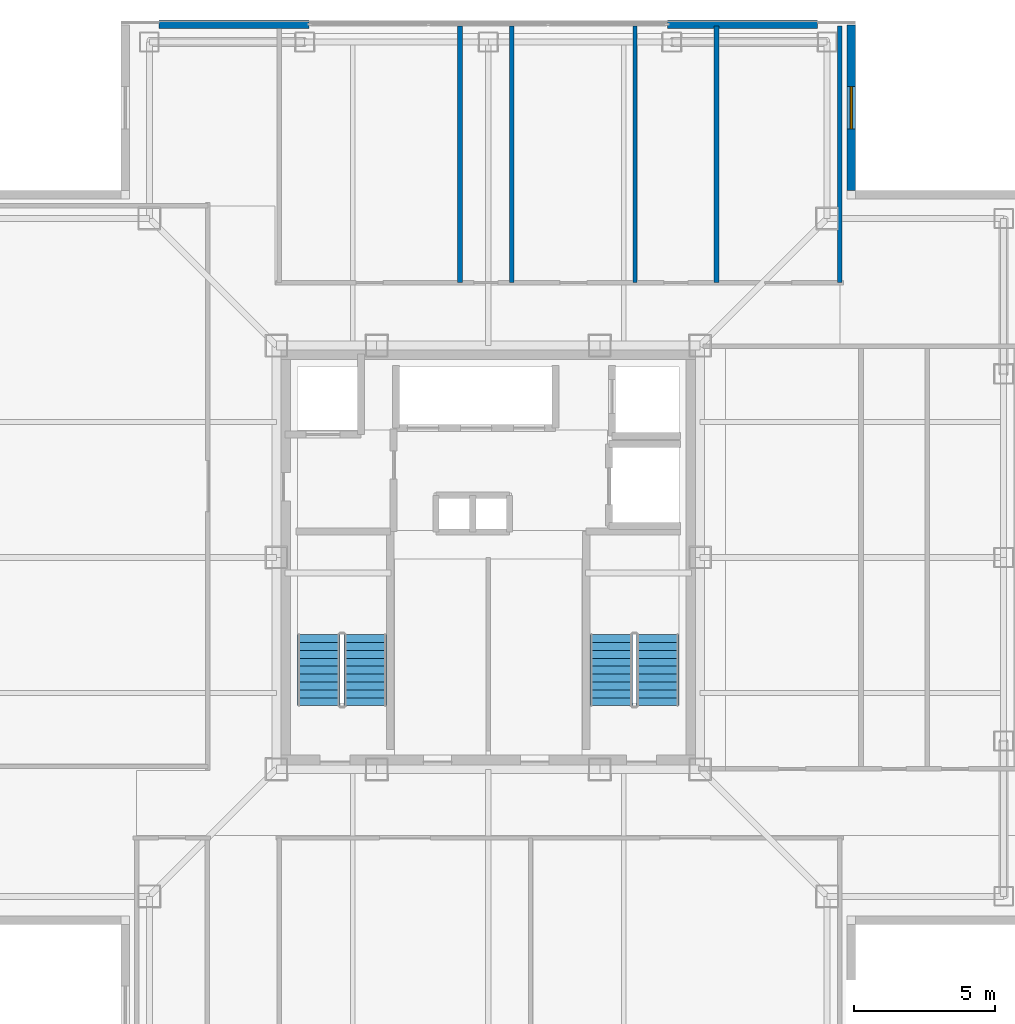
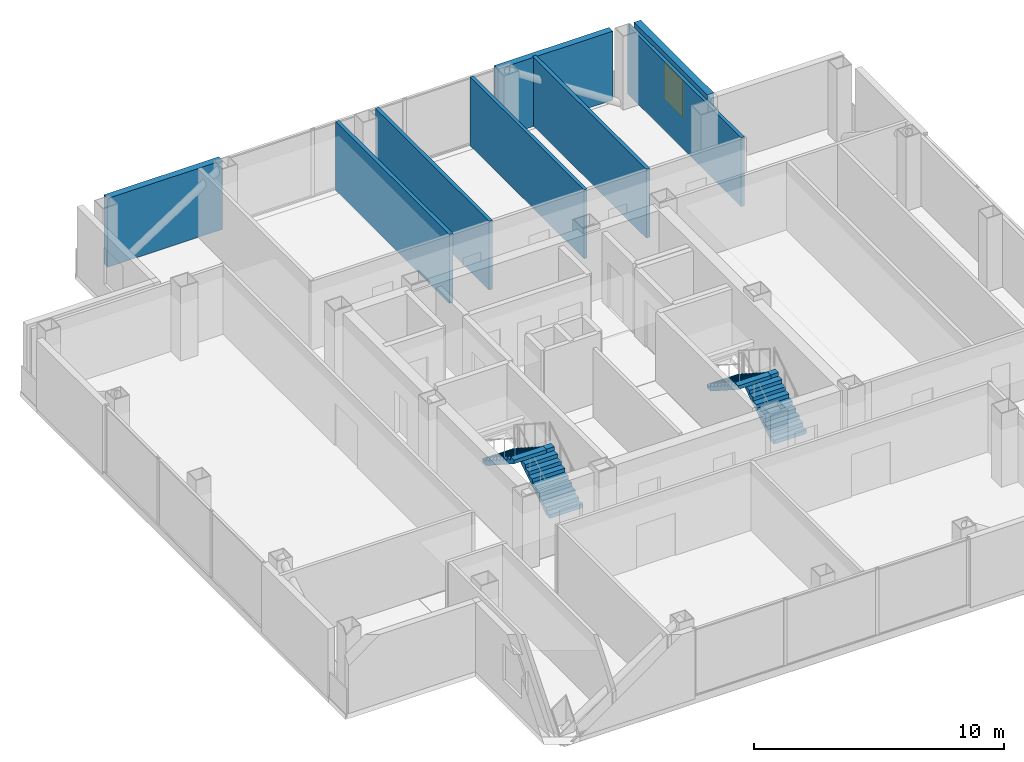
# One storey, part 10 of 16: 8 walls, 4 stair flights, 1 window, 1 opening, 2 elements without a shape of their own.
"""IFC4 building model written with IfcOpenShell, lengths in metres."""

from ifc_helpers import new_model, si_unit, direction, frame, frame_2d, origin, place, context, subcontext, project, spatial, polyline, rectangle, outline, extrude, material, layer, layer_set, type_object, element, fill, aggregate, save


model = new_model("IFC4")

# Units and contexts
model_context = context("Model", 3, precision=1e-05, world=origin(), true_north=direction((0.0, 1.0)))
body_context = subcontext(model_context, "Body", "Model", "MODEL_VIEW")
ifc_project = project(units=[si_unit("LENGTHUNIT", "METRE"), si_unit("AREAUNIT", "SQUARE_METRE"), si_unit("VOLUMEUNIT", "CUBIC_METRE"), si_unit("PLANEANGLEUNIT", "RADIAN"), si_unit("MASSUNIT", "GRAM", prefix="KILO")], contexts=[model_context])

# Site, building, storey
site_placement = place(None, origin())
site = spatial("IfcSite", under=ifc_project, at=site_placement, CompositionType="ELEMENT")
building_placement = place(site_placement, origin())
building = spatial("IfcBuilding", under=site, at=building_placement, Name="Trevonay Congress Spire", CompositionType="ELEMENT")
storey_placement = place(building_placement, frame((0.0, 0.0, 268.39990234375)))
storey = spatial("IfcBuildingStorey", under=building, at=storey_placement, Name="L70", CompositionType="ELEMENT", Elevation=268.39990234375)

# Walls
ifc_material_1 = material(Name="Precast concrete C40/50", Category="concrete")
ifc_layer_1 = layer(ifc_material_1, 0.300048828125, Name="Precast concrete C40/50")
ifc_layer_set_1 = layer_set([ifc_layer_1], Name="Precast concrete C40/50")
wall_type_1 = type_object("IfcWallType", Name="WAL-EXT-PRECAST-300", PredefinedType="SOLIDWALL", material=ifc_layer_set_1)
for number, where, z_axis, x_axis, name in (
    (1, (-11.64990234375, 18.8798828125, 0.0), (0.0, 0.0, 1.0), (1.0, 0.0, 0.0), "L70 NL braced-bay exterior pier wall"),
    (2, (6.35009765625, 18.8798828125, 0.0), (0.0, 0.0, 1.0), (1.0, 0.0, 0.0), "L70 NR braced-bay exterior pier wall"),
):
    element("IfcWall", number, at=place(storey_placement, frame(where, z_axis=z_axis, x_axis=x_axis)), inside=storey, type_object=wall_type_1, Name=name, PredefinedType="SOLIDWALL", context=body_context, shape_type="SweptSolid", body=[
        extrude(rectangle(XDim=5.2998046875, YDim=0.300048828125, at=frame_2d((2.64990234375, 0.0))), origin(), (0.0, 0.0, 1.0), 3.360107421875),
    ])

# Wall, opening, window
wall_placement = place(storey_placement, frame((12.85009765625, 18.85009765625, 0.0), z_axis=(0.0, 0.0, 1.0), x_axis=(0.0, -1.0, 0.0)))
wall = element("IfcWall", 3, at=wall_placement, inside=storey, type_object=wall_type_1, Name="L70 NE re-entrant notch exterior wall 1", PredefinedType="SOLIDWALL", context=body_context, shape_type="SweptSolid", body=[
    extrude(rectangle(XDim=5.85009765625, YDim=0.300048828125, at=frame_2d((2.925048828125, 0.0))), origin(), (0.0, 0.0, 1.0), 3.360107421875),
])
opening_placement = place(wall_placement, frame((2.175048828125, 0.0, 0.89990234375)))
opening = element("IfcOpeningElement", 4, at=opening_placement, cuts=wall, Name="Opening WN03", PredefinedType="OPENING", context=body_context, shape_type="SweptSolid", body=[
    extrude(rectangle(XDim=1.5, YDim=1.800048828125, at=frame_2d((0.75, 0.89990234375))), frame((0.0, 0.16015625, 0.0), z_axis=(0.0, -1.0, 0.0), x_axis=(1.0, 0.0, 0.0)), (0.0, 0.0, 1.0), 0.320068359375),
])
ifc_material_2 = material(Name="Insulated Low-E Vision Glass IGU", Category="glass")
window_type = type_object("IfcWindowType", Name="WIN-NOTCH-150X180", PartitioningType="SINGLE_PANEL", PredefinedType="WINDOW", material=ifc_material_2)
window_placement = place(opening_placement, origin())
window = element("IfcWindow", 5, at=window_placement, inside=storey, type_object=window_type, Name="L70 NE corner notch window", OverallHeight=1.800048828125, OverallWidth=1.5, PartitioningType="SINGLE_PANEL", PredefinedType="WINDOW", context=body_context, shape_type="SweptSolid", body=[
    extrude(rectangle(XDim=1.5, YDim=1.800048828125, at=frame_2d((0.75, 0.89990234375))), frame((0.0, 0.030029296875, 0.0), z_axis=(0.0, -1.0, 0.0), x_axis=(1.0, 0.0, 0.0)), (0.0, 0.0, 1.0), 0.06005859375),
])
fill(opening, window)

# Walls
ifc_material_3 = material(Name="Concrete C40/50", Category="concrete")
ifc_layer_2 = layer(ifc_material_3, 0.14990234375, Name="Concrete C40/50")
ifc_layer_set_2 = layer_set([ifc_layer_2], Name="Concrete C40/50")
wall_type_2 = type_object("IfcWallType", Name="WAL-PART-150", PredefinedType="PARTITIONING", material=ifc_layer_set_2)
for number, where, z_axis, x_axis, name in (
    (6, (5.199951171875, 9.72998046875, 0.0), (0.0, 0.0, 1.0), (0.0, 1.0, 0.0), "L70 interior wall WP-L70N-DIV3"),
    (7, (12.449951171875, 9.72998046875, 0.0), (0.0, 0.0, 1.0), (0.0, 1.0, 0.0), "L70 interior wall WP-L70N-DIV4"),
):
    element("IfcWall", number, at=place(storey_placement, frame(where, z_axis=z_axis, x_axis=x_axis)), inside=storey, type_object=wall_type_2, Name=name, PredefinedType="PARTITIONING", context=body_context, shape_type="SweptSolid", body=[
        extrude(rectangle(XDim=9.090087890625, YDim=0.14990234375, at=frame_2d((4.544921875, 0.0))), origin(), (0.0, 0.0, 1.0), 3.360107421875),
    ])
ifc_layer_3 = layer(ifc_material_3, 0.1650390625, Name="Concrete C40/50")
ifc_layer_set_3 = layer_set([ifc_layer_3], Name="Concrete C40/50")
wall_type_3 = type_object("IfcWallType", Name="WAL-WET-165", PredefinedType="PLUMBINGWALL", material=ifc_layer_set_3)
for number, where, z_axis, x_axis, name in (
    (8, (0.830078125, 9.72998046875, 0.0), (0.0, 0.0, 1.0), (0.0, 1.0, 0.0), "L70 interior wall WP-L70N-WCS2"),
    (9, (8.080078125, 9.72998046875, 0.0), (0.0, 0.0, 1.0), (0.0, 1.0, 0.0), "L70 interior wall WP-L70N-WCS3"),
    (10, (-1.0, 9.72998046875, 0.0), (0.0, 0.0, 1.0), (0.0, 1.0, 0.0), "L70 interior wall WP-L70N-DIV2"),
):
    element("IfcWall", number, at=place(storey_placement, frame(where, z_axis=z_axis, x_axis=x_axis)), inside=storey, type_object=wall_type_3, Name=name, PredefinedType="PLUMBINGWALL", context=body_context, shape_type="SweptSolid", body=[
        extrude(rectangle(XDim=9.090087890625, YDim=0.1650390625, at=frame_2d((4.544921875, 0.0))), origin(), (0.0, 0.0, 1.0), 3.360107421875),
    ])

# Stair, stair flights
stair_type_1 = type_object("IfcStairType", Name="STR-ST-1", PredefinedType="HALF_TURN_STAIR", material=ifc_material_3)
stair_1_placement = place(storey_placement, origin())
stair_1 = element("IfcStair", 11, at=stair_1_placement, inside=storey, type_object=stair_type_1, Name="L70 Protected Exit Stair ST-1", PredefinedType="HALF_TURN_STAIR")
stair_flight_type_1 = type_object("IfcStairFlightType", Name="SFL-ST-1", PredefinedType="STRAIGHT", material=ifc_material_3)
stair_flight_1_placement = place(storey_placement, frame((-4.35009765625, -5.25, 0.0), z_axis=(0.0, 0.0, 1.0), x_axis=(0.0, 1.0, 0.0)))
stair_flight_1 = element("IfcStairFlight", 12, at=stair_flight_1_placement, type_object=stair_flight_type_1, Name="ST-1 flight 1", NumberOfRisers=10, NumberOfTreads=9, PredefinedType="STRAIGHT", RiserHeight=0.18, TreadLength=0.28, context=body_context, shape_type="SweptSolid", body=[
    extrude(outline(polyline([(0.0, 0.0), (0.0, 0.179931640625), (0.280029296875, 0.179931640625), (0.280029296875, 0.360107421875), (0.56005859375, 0.360107421875), (0.56005859375, 0.5400390625), (0.840087890625, 0.5400390625), (0.840087890625, 0.719970703125), (1.1201171875, 0.719970703125), (1.1201171875, 0.89990234375), (1.39990234375, 0.89990234375), (1.39990234375, 1.080078125), (1.679931640625, 1.080078125), (1.679931640625, 1.260009765625), (1.9599609375, 1.260009765625), (1.9599609375, 1.43994140625), (2.239990234375, 1.43994140625), (2.239990234375, 1.6201171875), (2.52001953125, 1.6201171875), (2.52001953125, 1.800048828125), (2.52001953125, 1.44189453125), (0.277099609375, 0.0), (0.0, 0.0)])), frame((0.0, 0.75, 0.0), z_axis=(0.0, -1.0, 0.0), x_axis=(1.0, 0.0, 0.0)), (0.0, 0.0, 1.0), 1.5),
])
stair_flight_2_placement = place(storey_placement, frame((-6.0, -2.72998046875, 1.800048828125), z_axis=(0.0, 0.0, 1.0), x_axis=(0.0, -1.0, 0.0)))
stair_flight_2 = element("IfcStairFlight", 13, at=stair_flight_2_placement, type_object=stair_flight_type_1, Name="ST-1 flight 2", NumberOfRisers=10, NumberOfTreads=9, PredefinedType="STRAIGHT", RiserHeight=0.18, TreadLength=0.28, context=body_context, shape_type="SweptSolid", body=[
    extrude(outline(polyline([(0.0, 0.0), (0.0, 0.179931640625), (0.280029296875, 0.179931640625), (0.280029296875, 0.360107421875), (0.56005859375, 0.360107421875), (0.56005859375, 0.5400390625), (0.840087890625, 0.5400390625), (0.840087890625, 0.719970703125), (1.1201171875, 0.719970703125), (1.1201171875, 0.89990234375), (1.39990234375, 0.89990234375), (1.39990234375, 1.080078125), (1.679931640625, 1.080078125), (1.679931640625, 1.260009765625), (1.9599609375, 1.260009765625), (1.9599609375, 1.43994140625), (2.239990234375, 1.43994140625), (2.239990234375, 1.6201171875), (2.52001953125, 1.6201171875), (2.52001953125, 1.800048828125), (2.52001953125, 1.44189453125), (0.277099609375, 0.0), (0.0, 0.0)])), frame((0.0, 0.75, 0.0), z_axis=(0.0, -1.0, 0.0), x_axis=(1.0, 0.0, 0.0)), (0.0, 0.0, 1.0), 1.5),
])
aggregate(stair_1, [stair_flight_1, stair_flight_2])

stair_type_2 = type_object("IfcStairType", Name="STR-ST-2", PredefinedType="HALF_TURN_STAIR", material=ifc_material_3)
stair_2_placement = place(storey_placement, origin())
stair_2 = element("IfcStair", 14, at=stair_2_placement, inside=storey, type_object=stair_type_2, Name="L70 Protected Exit Stair ST-2", PredefinedType="HALF_TURN_STAIR")
stair_flight_type_2 = type_object("IfcStairFlightType", Name="SFL-ST-2", PredefinedType="STRAIGHT", material=ifc_material_3)
stair_flight_3_placement = place(storey_placement, frame((6.0, -5.25, 0.0), z_axis=(0.0, 0.0, 1.0), x_axis=(0.0, 1.0, 0.0)))
stair_flight_3 = element("IfcStairFlight", 15, at=stair_flight_3_placement, type_object=stair_flight_type_2, Name="ST-2 flight 1", NumberOfRisers=10, NumberOfTreads=9, PredefinedType="STRAIGHT", RiserHeight=0.18, TreadLength=0.28, context=body_context, shape_type="SweptSolid", body=[
    extrude(outline(polyline([(0.0, 0.0), (0.0, 0.179931640625), (0.280029296875, 0.179931640625), (0.280029296875, 0.360107421875), (0.56005859375, 0.360107421875), (0.56005859375, 0.5400390625), (0.840087890625, 0.5400390625), (0.840087890625, 0.719970703125), (1.1201171875, 0.719970703125), (1.1201171875, 0.89990234375), (1.39990234375, 0.89990234375), (1.39990234375, 1.080078125), (1.679931640625, 1.080078125), (1.679931640625, 1.260009765625), (1.9599609375, 1.260009765625), (1.9599609375, 1.43994140625), (2.239990234375, 1.43994140625), (2.239990234375, 1.6201171875), (2.52001953125, 1.6201171875), (2.52001953125, 1.800048828125), (2.52001953125, 1.44189453125), (0.277099609375, 0.0), (0.0, 0.0)])), frame((0.0, 0.75, 0.0), z_axis=(0.0, -1.0, 0.0), x_axis=(1.0, 0.0, 0.0)), (0.0, 0.0, 1.0), 1.5),
])
stair_flight_4_placement = place(storey_placement, frame((4.35009765625, -2.72998046875, 1.800048828125), z_axis=(0.0, 0.0, 1.0), x_axis=(0.0, -1.0, 0.0)))
stair_flight_4 = element("IfcStairFlight", 16, at=stair_flight_4_placement, type_object=stair_flight_type_2, Name="ST-2 flight 2", NumberOfRisers=10, NumberOfTreads=9, PredefinedType="STRAIGHT", RiserHeight=0.18, TreadLength=0.28, context=body_context, shape_type="SweptSolid", body=[
    extrude(outline(polyline([(0.0, 0.0), (0.0, 0.179931640625), (0.280029296875, 0.179931640625), (0.280029296875, 0.360107421875), (0.56005859375, 0.360107421875), (0.56005859375, 0.5400390625), (0.840087890625, 0.5400390625), (0.840087890625, 0.719970703125), (1.1201171875, 0.719970703125), (1.1201171875, 0.89990234375), (1.39990234375, 0.89990234375), (1.39990234375, 1.080078125), (1.679931640625, 1.080078125), (1.679931640625, 1.260009765625), (1.9599609375, 1.260009765625), (1.9599609375, 1.43994140625), (2.239990234375, 1.43994140625), (2.239990234375, 1.6201171875), (2.52001953125, 1.6201171875), (2.52001953125, 1.800048828125), (2.52001953125, 1.44189453125), (0.277099609375, 0.0), (0.0, 0.0)])), frame((0.0, 0.75, 0.0), z_axis=(0.0, -1.0, 0.0), x_axis=(1.0, 0.0, 0.0)), (0.0, 0.0, 1.0), 1.5),
])
aggregate(stair_2, [stair_flight_3, stair_flight_4])

save(model, "model.ifc")
